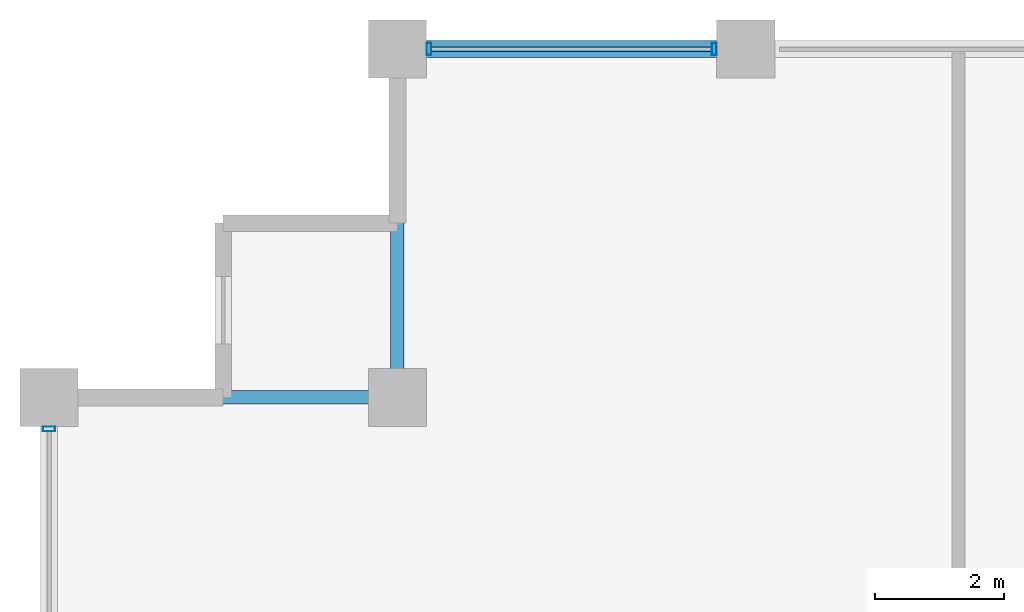
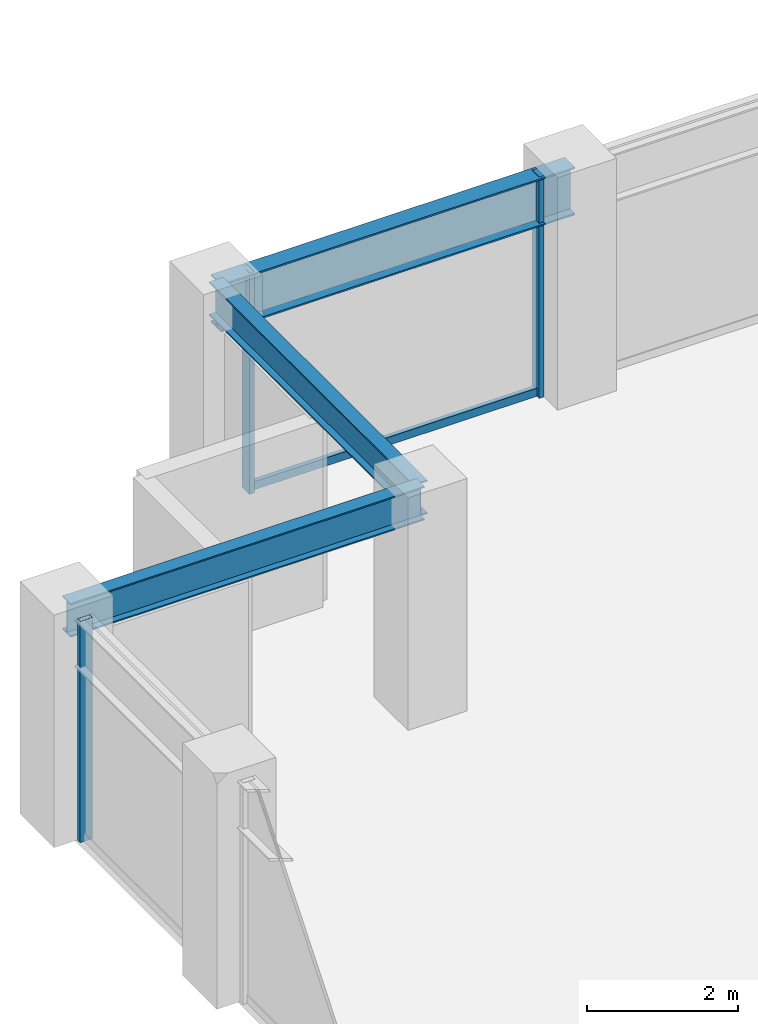
# One storey, part 18 of 32: 4 members, 3 beams, 2 elements without a shape of their own.
"""IFC4 building model written with IfcOpenShell, lengths in metres."""

from ifc_helpers import new_model, si_unit, direction, frame, origin, origin_2d, place, context, subcontext, project, spatial, hollow_rectangle, i_section, extrude, material, layer, layer_set, material_profile, profile_set, type_object, element, aggregate, save


model = new_model("IFC4")

# Units and contexts
model_context = context("Model", 3, precision=1e-05, world=origin(), true_north=direction((0.0, 1.0)))
body_context = subcontext(model_context, "Body", "Model", "MODEL_VIEW")
ifc_project = project(units=[si_unit("LENGTHUNIT", "METRE"), si_unit("AREAUNIT", "SQUARE_METRE"), si_unit("VOLUMEUNIT", "CUBIC_METRE"), si_unit("PLANEANGLEUNIT", "RADIAN"), si_unit("MASSUNIT", "GRAM", prefix="KILO")], contexts=[model_context])

# Site, building, storey
site_placement = place(None, origin())
site = spatial("IfcSite", under=ifc_project, at=site_placement, CompositionType="ELEMENT")
building_placement = place(site_placement, origin())
building = spatial("IfcBuilding", under=site, at=building_placement, Name="Surkhivell Harbour Commons", CompositionType="ELEMENT")
storey_placement = place(building_placement, frame((0.0, 0.0, 204.75)))
storey = spatial("IfcBuildingStorey", under=building, at=storey_placement, Name="L53", CompositionType="ELEMENT", Elevation=204.75)

# Beams
ifc_material_1 = material(Name="Steel S355", Category="steel")
ifc_material_profile_1 = material_profile(ifc_material_1, i_section(OverallWidth=0.2119140625, OverallDepth=0.5439453125, WebThickness=0.0126953125, FlangeThickness=0.021240234375, at=origin_2d()), Name="UB533x210x122")
ifc_profile_set_1 = profile_set([ifc_material_profile_1], Name="Steel S355")
beam_type_1 = type_object("IfcBeamType", Name="BM-GRD-533A", PredefinedType="BEAM", material=ifc_profile_set_1)
for number, where, z_axis, x_axis, name in (
    (1, (-27.0, 20.5, 3.298095703125), (1.0, 0.0, 0.0), (0.0, 1.0, 0.0), "L53 Floor Girder (-27.0,20.5)"),
    (2, (-21.60009765625, 20.5, 3.298095703125), (0.0, 1.0, 0.0), (-1.0, 0.0, 0.0), "L53 Floor Girder (-21.6,20.5)"),
):
    element("IfcBeam", number, at=place(storey_placement, frame(where, z_axis=z_axis, x_axis=x_axis)), inside=storey, type_object=beam_type_1, Name=name, PredefinedType="BEAM", context=body_context, shape_type="SweptSolid", body=[
        extrude(i_section(OverallWidth=0.2119140625, OverallDepth=0.5439453125, WebThickness=0.0126953125, FlangeThickness=0.021240234375, at=origin_2d()), origin(), (0.0, 0.0, 1.0), 5.39990234375),
    ])
ifc_material_profile_2 = material_profile(ifc_material_1, i_section(OverallWidth=0.26806640625, OverallDepth=0.77001953125, WebThickness=0.015625, FlangeThickness=0.025390625, at=origin_2d()), Name="UB762x267x197")
ifc_profile_set_2 = profile_set([ifc_material_profile_2], Name="Steel S355")
beam_type_2 = type_object("IfcBeamType", Name="BM-SPN-762", PredefinedType="SPANDREL", material=ifc_profile_set_2)
beam_placement = place(storey_placement, frame((-21.60009765625, 25.89990234375, 3.18505859375), z_axis=(1.0, 0.0, 0.0), x_axis=(0.0, 1.0, 0.0)))
element("IfcBeam", 3, at=beam_placement, inside=storey, type_object=beam_type_2, Name="L53 Tube Spandrel (-21.6,25.9)", PredefinedType="SPANDREL", context=body_context, shape_type="SweptSolid", body=[
    extrude(i_section(OverallWidth=0.26806640625, OverallDepth=0.77001953125, WebThickness=0.015625, FlangeThickness=0.025390625, at=origin_2d()), origin(), (0.0, 0.0, 1.0), 5.400146484375),
])

# Curtain wall, members
ifc_material_2 = material(Name="Anodised pale-metal aluminium and insulated glazing", Category="aluminium")
ifc_layer = layer(ifc_material_2, 0.18994140625)
ifc_layer_set = layer_set([ifc_layer], Name="Anodised pale-metal aluminium and insulated glazing")
curtain_wall_type = type_object("IfcCurtainWallType", Name="CW-SYS-Z3", PredefinedType="NOTDEFINED", material=ifc_layer_set)
curtain_wall_1_placement = place(storey_placement, origin())
curtain_wall_1 = element("IfcCurtainWall", 4, at=curtain_wall_1_placement, inside=storey, type_object=curtain_wall_type, Name="L53 Curtain Wall CW-L53-E07S2", PredefinedType="NOTDEFINED")
ifc_material_3 = material(Name="Anodised pale-metal aluminium alloy 6063-T6", Category="aluminium")
ifc_material_profile_3 = material_profile(ifc_material_3, hollow_rectangle(XDim=0.074951171875, YDim=0.18994140625, WallThickness=0.00390625, at=origin_2d()), Name="ALU-MULL-75x190")
ifc_profile_set_3 = profile_set([ifc_material_profile_3], Name="Anodised pale-metal aluminium alloy 6063-T6")
member_type_1 = type_object("IfcMemberType", Name="CWM-190", PredefinedType="MULLION", material=ifc_profile_set_3)
member_1_placement = place(storey_placement, frame((-16.689453125, 25.89990234375, 0.0), z_axis=(0.0, 0.0, 1.0), x_axis=(-1.0, 0.0, 0.0)))
member_1 = element("IfcMember", 5, at=member_1_placement, type_object=member_type_1, Name="CW-Z3 mullion 3", PredefinedType="MULLION", context=body_context, shape_type="SweptSolid", body=[
    extrude(hollow_rectangle(XDim=0.074951171875, YDim=0.18994140625, WallThickness=0.00390625, at=origin_2d()), origin(), (0.0, 0.0, 1.0), 3.570068359375),
])
member_2_placement = place(storey_placement, frame((-21.110595703125, 25.89990234375, 0.0), z_axis=(0.0, 0.0, 1.0), x_axis=(-1.0, 0.0, 0.0)))
member_2 = element("IfcMember", 6, at=member_2_placement, type_object=member_type_1, Name="CW-Z3 mullion 4", PredefinedType="MULLION", context=body_context, shape_type="SweptSolid", body=[
    extrude(hollow_rectangle(XDim=0.074951171875, YDim=0.18994140625, WallThickness=0.00390625, at=origin_2d()), origin(), (0.0, 0.0, 1.0), 3.570068359375),
])

# Curtain wall, member
curtain_wall_2_placement = place(storey_placement, origin())
curtain_wall_2 = element("IfcCurtainWall", 7, at=curtain_wall_2_placement, inside=storey, type_object=curtain_wall_type, Name="L53 Curtain Wall CW-L53-E12S1", PredefinedType="NOTDEFINED")
member_3_placement = place(storey_placement, frame((-27.0, 20.010498046875, 0.0), z_axis=(0.0, 0.0, 1.0), x_axis=(0.0, -1.0, 0.0)))
member_3 = element("IfcMember", 8, at=member_3_placement, type_object=member_type_1, Name="CW-Z3 mullion 1", PredefinedType="MULLION", context=body_context, shape_type="SweptSolid", body=[
    extrude(hollow_rectangle(XDim=0.074951171875, YDim=0.18994140625, WallThickness=0.00390625, at=origin_2d()), origin(), (0.0, 0.0, 1.0), 3.570068359375),
])
aggregate(curtain_wall_2, [member_3])

# Member
ifc_material_4 = material(Name="Champagne anodised aluminium alloy 6063-T6", Category="aluminium")
ifc_material_profile_4 = material_profile(ifc_material_4, hollow_rectangle(XDim=0.070068359375, YDim=0.1298828125, WallThickness=0.00341796875, at=origin_2d()), Name="ALU-TRAN-70x130")
ifc_profile_set_4 = profile_set([ifc_material_profile_4], Name="Champagne anodised aluminium alloy 6063-T6")
member_type_2 = type_object("IfcMemberType", Name="CWT-130", PredefinedType="USERDEFINED", material=ifc_profile_set_4)
member_4_placement = place(storey_placement, frame((-16.72705078125, 25.89990234375, 0.06494140625), z_axis=(-1.0, 0.0, 0.0), x_axis=(0.0, -1.0, 0.0)))
member_4 = element("IfcMember", 9, at=member_4_placement, type_object=member_type_2, Name="CW-Z3 transom 3.1", ObjectType="TRANSOM", PredefinedType="USERDEFINED", context=body_context, shape_type="SweptSolid", body=[
    extrude(hollow_rectangle(XDim=0.070068359375, YDim=0.1298828125, WallThickness=0.00341796875, at=origin_2d()), origin(), (0.0, 0.0, 1.0), 4.345947265625),
])

aggregate(curtain_wall_1, [member_1, member_2, member_4])

save(model, "model.ifc")
